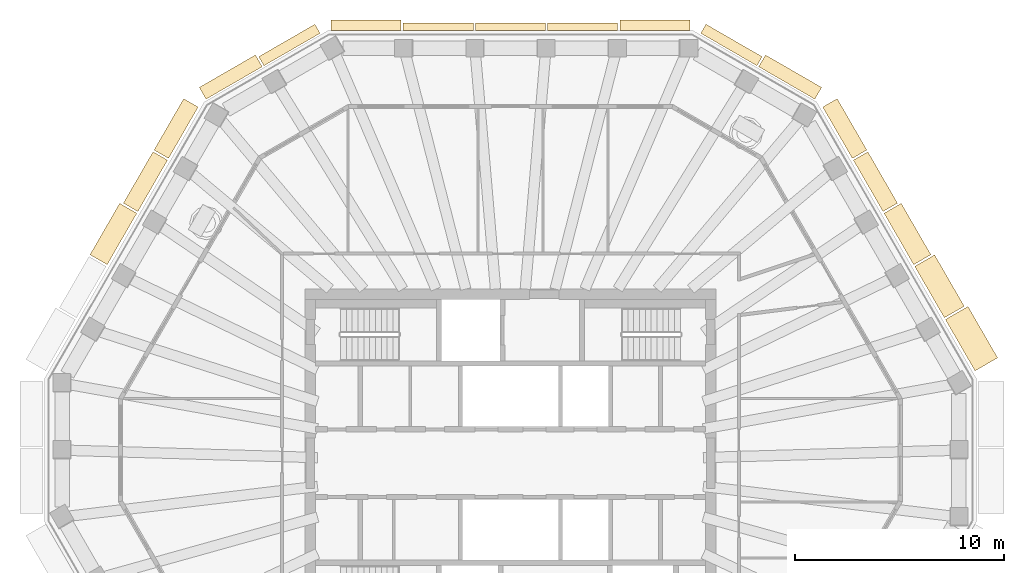
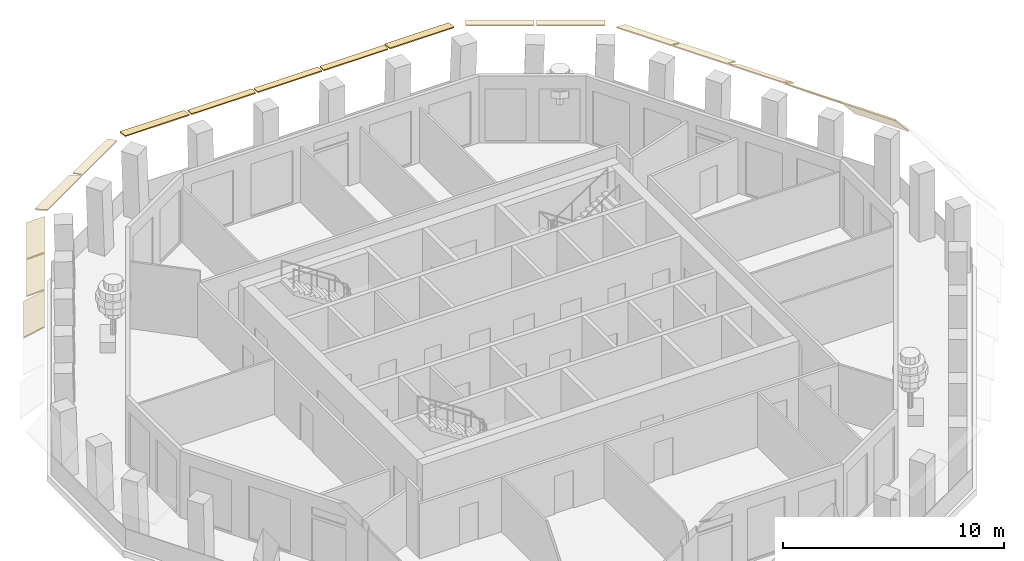
# One storey, part 9 of 11: 17 coverings.
"""IFC4 building model written with IfcOpenShell, lengths in metres."""

from ifc_helpers import new_model, si_unit, direction, frame, origin, place, context, subcontext, project, spatial, polyline, outline, extrude, material, layer, layer_set, type_object, element, save


model = new_model("IFC4")

# Units and contexts
model_context = context("Model", 3, precision=1e-05, world=origin(), true_north=direction((0.0, 1.0)))
body_context = subcontext(model_context, "Body", "Model", "MODEL_VIEW")
ifc_project = project(units=[si_unit("LENGTHUNIT", "METRE"), si_unit("AREAUNIT", "SQUARE_METRE"), si_unit("VOLUMEUNIT", "CUBIC_METRE"), si_unit("PLANEANGLEUNIT", "RADIAN"), si_unit("MASSUNIT", "GRAM", prefix="KILO")], contexts=[model_context])

# Site, building, storey
site_placement = place(None, origin())
site = spatial("IfcSite", under=ifc_project, at=site_placement, CompositionType="ELEMENT")
building_placement = place(site_placement, origin())
building = spatial("IfcBuilding", under=site, at=building_placement, Name="Frailejon Research Tower", CompositionType="ELEMENT")
storey_placement = place(building_placement, frame((0.0, 0.0, 328.60009765625)))
storey = spatial("IfcBuildingStorey", under=building, at=storey_placement, Name="L73", CompositionType="ELEMENT", Elevation=328.60009765625)

# Coverings
ifc_material_1 = material(Name="Precast concrete C50/60", Category="concrete")
ifc_layer_1 = layer(ifc_material_1, 0.06005859375)
ifc_layer_set_1 = layer_set([ifc_layer_1], Name="Brim blade depth 1100")
covering_type_1 = type_object("IfcCoveringType", Name="Brim blade depth 1100", PredefinedType="CLADDING", material=ifc_layer_set_1)
covering_1_placement = place(storey_placement, frame((19.38330078125, 9.435546875, 3.849853515625), z_axis=(0.499975601041, -0.866039490072, 0.0), x_axis=(0.866039490072, 0.499975601041, 0.0)))
element("IfcCovering", 1, at=covering_1_placement, inside=storey, type_object=covering_type_1, Name="Brim blade L73", PredefinedType="CLADDING", context=body_context, shape_type="SweptSolid", body=[
    extrude(outline(polyline([(0.0, -0.078369140625), (1.10009765625, -1.001220703125), (1.10009765625, -0.923095703125), (0.0, 0.0), (0.0, -0.078369140625)])), origin(), (0.0, 0.0, 1.0), 2.8408203125),
])
ifc_material_2 = material(Name="Precast concrete C50/60", Category="concrete")
ifc_layer_2 = layer(ifc_material_2, 0.06005859375)
ifc_layer_set_2 = layer_set([ifc_layer_2], Name="Brim blade depth 1250")
covering_type_2 = type_object("IfcCoveringType", Name="Brim blade depth 1250", PredefinedType="CLADDING", material=ifc_layer_set_2)
covering_2_placement = place(storey_placement, frame((20.853759765625, 6.888671875, 3.849853515625), z_axis=(0.500015830059, -0.866016264103, 0.0), x_axis=(0.866016264103, 0.500015830059, 0.0)))
element("IfcCovering", 2, at=covering_2_placement, inside=storey, type_object=covering_type_2, Name="Brim blade L73", PredefinedType="CLADDING", context=body_context, shape_type="SweptSolid", body=[
    extrude(outline(polyline([(0.0, -0.0888671875), (1.25, -1.452880859375), (1.25, -1.364013671875), (0.0, 0.0), (0.0, -0.0888671875)])), origin(), (0.0, 0.0, 1.0), 2.8408203125),
])
ifc_material_3 = material(Name="Precast concrete C50/60", Category="concrete")
ifc_layer_3 = layer(ifc_material_3, 0.06005859375)
ifc_layer_set_3 = layer_set([ifc_layer_3], Name="Brim blade depth 350")
covering_type_3 = type_object("IfcCoveringType", Name="Brim blade depth 350", PredefinedType="CLADDING", material=ifc_layer_set_3)
for number, where, z_axis, x_axis, name in (
    (3, (1.781494140625, 20.75, 3.849853515625), (1.0, 0.0, 0.0), (0.0, 1.0, 0.0), "Brim blade L73"),
    (4, (-1.681640625, 20.75, 3.849853515625), (1.0, 0.0, 0.0), (0.0, 1.0, 0.0), "Brim blade L73"),
    (5, (-5.14501953125, 20.75, 3.849853515625), (1.0, 0.0, 0.0), (0.0, 1.0, 0.0), "Brim blade L73"),
):
    element("IfcCovering", number, at=place(storey_placement, frame(where, z_axis=z_axis, x_axis=x_axis)), inside=storey, type_object=covering_type_3, Name=name, PredefinedType="CLADDING", context=body_context, shape_type="SweptSolid", body=[
        extrude(outline(polyline([(0.0, -0.06005859375), (0.35009765625, -0.06005859375), (0.35009765625, 0.0), (0.0, 0.0), (0.0, -0.06005859375)])), origin(), (0.0, 0.0, 1.0), 3.36328125),
    ])
ifc_material_4 = material(Name="Precast concrete C50/60", Category="concrete")
ifc_layer_4 = layer(ifc_material_4, 0.06005859375)
ifc_layer_set_4 = layer_set([ifc_layer_4], Name="Brim blade depth 500")
covering_type_4 = type_object("IfcCoveringType", Name="Brim blade depth 500", PredefinedType="CLADDING", material=ifc_layer_set_4)
covering_3_placement = place(storey_placement, frame((9.12646484375, 20.611083984375, 3.849853515625), z_axis=(0.866034959906, -0.499983447946, 0.0), x_axis=(0.499983447946, 0.866034959906, 0.0)))
element("IfcCovering", 6, at=covering_3_placement, inside=storey, type_object=covering_type_4, Name="Brim blade L73", PredefinedType="CLADDING", context=body_context, shape_type="SweptSolid", body=[
    extrude(outline(polyline([(0.0, -0.060546875), (0.5, -0.130859375), (0.5, -0.0703125), (0.0, 0.0), (0.0, -0.060546875)])), origin(), (0.0, 0.0, 1.0), 3.106201171875),
])
for number, where, z_axis, x_axis, name in (
    (7, (5.244873046875, 20.75, 3.849853515625), (1.0, 0.0, 0.0), (0.0, 1.0, 0.0), "Brim blade L73"),
    (8, (-8.608154296875, 20.75, 3.849853515625), (1.0, 0.0, 0.0), (0.0, 1.0, 0.0), "Brim blade L73"),
):
    element("IfcCovering", number, at=place(storey_placement, frame(where, z_axis=z_axis, x_axis=x_axis)), inside=storey, type_object=covering_type_4, Name=name, PredefinedType="CLADDING", context=body_context, shape_type="SweptSolid", body=[
        extrude(outline(polyline([(0.0, -0.060546875), (0.5, -0.130859375), (0.5, -0.0703125), (0.0, 0.0), (0.0, -0.060546875)])), origin(), (0.0, 0.0, 1.0), 3.36328125),
    ])
covering_4_placement = place(storey_placement, frame((-11.81640625, 19.05810546875, 3.849853515625), z_axis=(0.866034959906, 0.499983447946, 0.0), x_axis=(-0.499983447946, 0.866034959906, 0.0)))
element("IfcCovering", 9, at=covering_4_placement, inside=storey, type_object=covering_type_4, Name="Brim blade L73", PredefinedType="CLADDING", context=body_context, shape_type="SweptSolid", body=[
    extrude(outline(polyline([(0.0, -0.060546875), (0.5, -0.130859375), (0.5, -0.0703125), (0.0, 0.0), (0.0, -0.060546875)])), origin(), (0.0, 0.0, 1.0), 3.106201171875),
])
ifc_material_5 = material(Name="Precast concrete C50/60", Category="concrete")
ifc_layer_5 = layer(ifc_material_5, 0.06005859375)
ifc_layer_set_5 = layer_set([ifc_layer_5], Name="Brim blade depth 650")
covering_type_5 = type_object("IfcCoveringType", Name="Brim blade depth 650", PredefinedType="CLADDING", material=ifc_layer_set_5)
for number, where, z_axis, x_axis, name in (
    (10, (11.903076171875, 19.008056640625, 3.849853515625), (0.86601365609, -0.500020347052, 0.0), (0.500020347052, 0.86601365609, 0.0), "Brim blade L73"),
    (11, (-14.593017578125, 17.455078125, 3.849853515625), (0.86601365609, 0.500020347052, 0.0), (-0.500020347052, 0.86601365609, 0.0), "Brim blade L73"),
):
    element("IfcCovering", number, at=place(storey_placement, frame(where, z_axis=z_axis, x_axis=x_axis)), inside=storey, type_object=covering_type_5, Name=name, PredefinedType="CLADDING", context=body_context, shape_type="SweptSolid", body=[
        extrude(outline(polyline([(0.0, -0.0625), (0.64990234375, -0.248779296875), (0.64990234375, -0.186279296875), (0.0, 0.0), (0.0, -0.0625)])), origin(), (0.0, 0.0, 1.0), 3.106201171875),
    ])
ifc_material_6 = material(Name="Precast concrete C50/60", Category="concrete")
ifc_layer_6 = layer(ifc_material_6, 0.06005859375)
ifc_layer_set_6 = layer_set([ifc_layer_6], Name="Brim blade depth 800")
covering_type_6 = type_object("IfcCoveringType", Name="Brim blade depth 800", PredefinedType="CLADDING", material=ifc_layer_set_6)
for number, where, z_axis, x_axis, name in (
    (12, (16.442626953125, 14.52880859375, 3.849853515625), (0.499990326, -0.866030988999, 0.0), (0.866030988999, 0.499990326, 0.0), "Brim blade L73"),
    (13, (14.972412109375, 17.07568359375, 3.849853515625), (0.500015830059, -0.866016264103, 0.0), (0.866016264103, 0.500015830059, 0.0), "Brim blade L73"),
    (14, (-16.392578125, 14.615478515625, 3.849853515625), (0.500015830059, 0.866016264103, 0.0), (-0.866016264103, 0.500015830059, 0.0), "Brim blade L73"),
    (15, (-17.863037109375, 12.06884765625, 3.849853515625), (0.499990326, 0.866030988999, 0.0), (-0.866030988999, 0.499990326, 0.0), "Brim blade L73"),
):
    element("IfcCovering", number, at=place(storey_placement, frame(where, z_axis=z_axis, x_axis=x_axis)), inside=storey, type_object=covering_type_6, Name=name, PredefinedType="CLADDING", context=body_context, shape_type="SweptSolid", body=[
        extrude(outline(polyline([(0.0, -0.065673828125), (0.800048828125, -0.421875), (0.800048828125, -0.356201171875), (0.0, 0.0), (0.0, -0.065673828125)])), origin(), (0.0, 0.0, 1.0), 2.8408203125),
    ])
ifc_material_7 = material(Name="Precast concrete C50/60", Category="concrete")
ifc_layer_7 = layer(ifc_material_7, 0.06005859375)
ifc_layer_set_7 = layer_set([ifc_layer_7], Name="Brim blade depth 950")
covering_type_7 = type_object("IfcCoveringType", Name="Brim blade depth 950", PredefinedType="CLADDING", material=ifc_layer_set_7)
for number, where, z_axis, x_axis, name in (
    (16, (17.9130859375, 11.982177734375, 3.849853515625), (0.500015830059, -0.866016264103, 0.0), (0.866016264103, 0.500015830059, 0.0), "Brim blade L73"),
    (17, (-19.33349609375, 9.522216796875, 3.849853515625), (0.500015830059, 0.866016264103, 0.0), (-0.866016264103, 0.500015830059, 0.0), "Brim blade L73"),
):
    element("IfcCovering", number, at=place(storey_placement, frame(where, z_axis=z_axis, x_axis=x_axis)), inside=storey, type_object=covering_type_7, Name=name, PredefinedType="CLADDING", context=body_context, shape_type="SweptSolid", body=[
        extrude(outline(polyline([(0.0, -0.07080078125), (0.949951171875, -0.664306640625), (0.949951171875, -0.593505859375), (0.0, 0.0), (0.0, -0.07080078125)])), origin(), (0.0, 0.0, 1.0), 2.8408203125),
    ])

save(model, "model.ifc")
